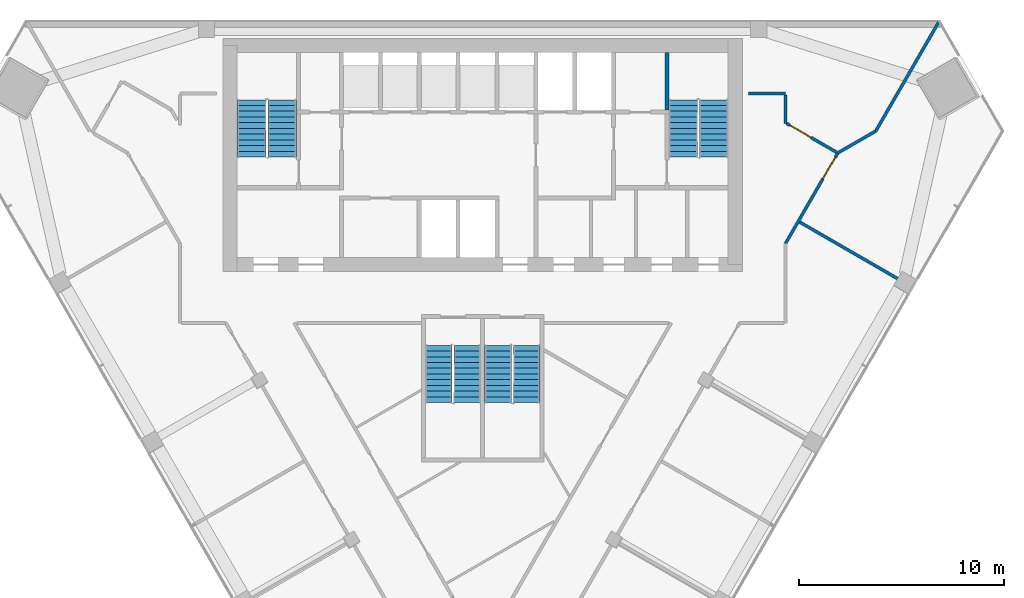
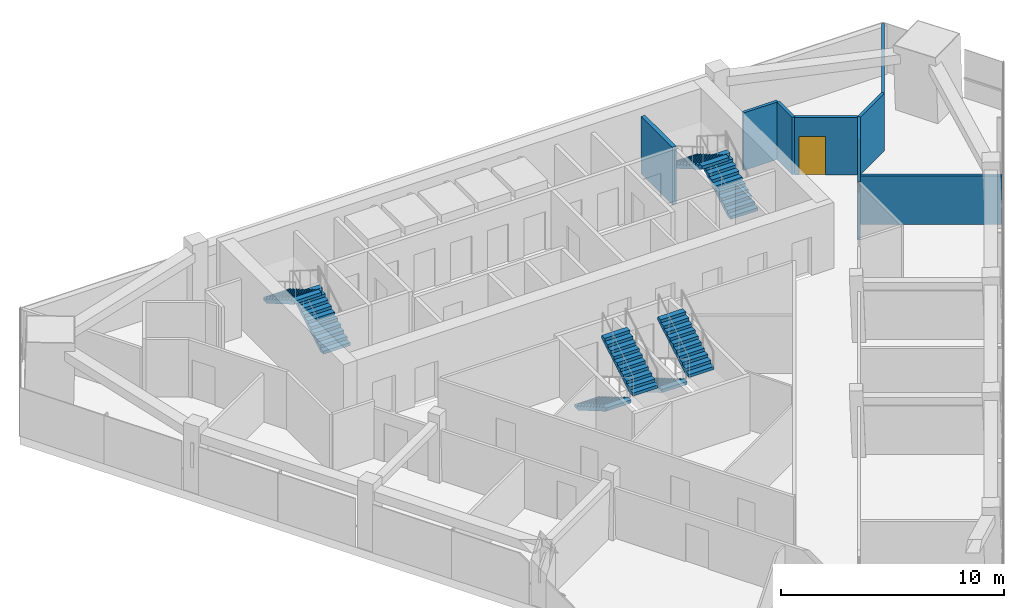
# One storey, part 11 of 13: 8 stair flights, 8 walls, 2 doors, 2 openings, 4 elements without a shape of their own.
"""IFC4 building model written with IfcOpenShell, lengths in metres."""

from ifc_helpers import new_model, si_unit, direction, frame, frame_2d, origin, place, context, subcontext, project, spatial, polyline, rectangle, outline, extrude, material, layer, layer_set, type_object, element, fill, aggregate, save


model = new_model("IFC4")

# Units and contexts
model_context = context("Model", 3, precision=1e-05, world=origin(), true_north=direction((0.0, 1.0)))
body_context = subcontext(model_context, "Body", "Model", "MODEL_VIEW")
ifc_project = project(units=[si_unit("LENGTHUNIT", "METRE"), si_unit("AREAUNIT", "SQUARE_METRE"), si_unit("VOLUMEUNIT", "CUBIC_METRE"), si_unit("PLANEANGLEUNIT", "RADIAN"), si_unit("MASSUNIT", "GRAM", prefix="KILO")], contexts=[model_context])

# Site, building, storey
site_placement = place(None, origin())
site = spatial("IfcSite", under=ifc_project, at=site_placement, CompositionType="ELEMENT")
building_placement = place(site_placement, origin())
building = spatial("IfcBuilding", under=site, at=building_placement, Name="Altiplano Prism Tower", CompositionType="ELEMENT")
storey_placement = place(building_placement, frame((0.0, 0.0, 201.60009765625)))
storey = spatial("IfcBuildingStorey", under=building, at=storey_placement, Name="L52", CompositionType="ELEMENT", Elevation=201.60009765625)

# Wall, opening, door
ifc_material_1 = material(Name="Plasterboard on steel stud", Category="steel")
ifc_layer_1 = layer(ifc_material_1, 0.14990234375)
ifc_layer_set_1 = layer_set([ifc_layer_1], Name="Plasterboard on steel stud")
wall_type_1 = type_object("IfcWallType", Name="Partition 150 corridor", PredefinedType="PARTITIONING", material=ifc_layer_set_1)
wall_1_placement = place(storey_placement, frame((99.800048828125, 94.0732421875, 0.0), z_axis=(0.0, 0.0, 1.0), x_axis=(0.499981548585, 0.866036056452, 0.0)))
wall_1 = element("IfcWall", 1, at=wall_1_placement, inside=storey, type_object=wall_type_1, Name="Partition P06 L52 011", PredefinedType="PARTITIONING", context=body_context, shape_type="SweptSolid", body=[
    extrude(rectangle(XDim=5.111572265625, YDim=0.14990234375, at=frame_2d((2.5556640625, 0.0))), origin(), (0.0, 0.0, 1.0), 3.14990234375),
])
opening_1_placement = place(wall_1_placement, frame((3.6669921875, 0.0, 0.0)))
opening_1 = element("IfcOpeningElement", 2, at=opening_1_placement, cuts=wall_1, Name="Opening D1824", PredefinedType="OPENING", context=body_context, shape_type="SweptSolid", body=[
    extrude(rectangle(XDim=1.199951171875, YDim=2.10009765625, at=frame_2d((0.60009765625, 1.050048828125))), frame((0.0, 0.08544921875, 0.0), z_axis=(0.0, -1.0, 0.0), x_axis=(1.0, 0.0, 0.0)), (0.0, 0.0, 1.0), 0.1708984375),
])
ifc_material_2 = material(Name="Timber", Category="wood")
door_type = type_object("IfcDoorType", Name="Shared room door 1200 x 2100", OperationType="NOTDEFINED", PredefinedType="NOTDEFINED", material=ifc_material_2)
door_1_placement = place(opening_1_placement, origin())
door_1 = element("IfcDoor", 3, at=door_1_placement, inside=storey, type_object=door_type, Name="Door D1824", OperationType="SINGLE_SWING_RIGHT", OverallHeight=2.10009765625, OverallWidth=1.199951171875, PredefinedType="NOTDEFINED", context=body_context, shape_type="SweptSolid", body=[
    extrude(rectangle(XDim=1.199951171875, YDim=2.10009765625, at=frame_2d((0.60009765625, 1.050048828125))), frame((0.0, 0.02490234375, 0.0), z_axis=(0.0, -1.0, 0.0), x_axis=(1.0, 0.0, 0.0)), (0.0, 0.0, 1.0), 0.050048828125),
])
fill(opening_1, door_1)

# Walls
wall_2_placement = place(storey_placement, frame((99.801025390625, 99.946044921875, 0.0), z_axis=(0.0, 0.0, 1.0), x_axis=(-0.000353919638, 0.99999993737, 0.0)))
element("IfcWall", 4, at=wall_2_placement, inside=storey, type_object=wall_type_1, Name="Partition P06 L52 012", PredefinedType="PARTITIONING", context=body_context, shape_type="SweptSolid", body=[
    extrude(rectangle(XDim=1.379638671875, YDim=0.14990234375, at=frame_2d((0.68994140625, 0.0))), origin(), (0.0, 0.0, 1.0), 3.14990234375),
])
wall_3_placement = place(storey_placement, frame((99.800537109375, 101.40087890625, 0.0), z_axis=(0.0, 0.0, 1.0), x_axis=(-1.0, 0.0, 0.0)))
element("IfcWall", 5, at=wall_3_placement, inside=storey, type_object=wall_type_1, Name="Partition P06 L52 013", PredefinedType="PARTITIONING", context=body_context, shape_type="SweptSolid", body=[
    extrude(rectangle(XDim=1.800537109375, YDim=0.14990234375, at=frame_2d((0.900390625, 0.0))), origin(), (0.0, 0.0, 1.0), 3.14990234375),
])

# Wall, opening, door
wall_4_placement = place(storey_placement, frame((102.291259765625, 98.538330078125, 0.0), z_axis=(0.0, 0.0, 1.0), x_axis=(-0.866011447264, 0.500024172624, 0.0)))
wall_4 = element("IfcWall", 6, at=wall_4_placement, inside=storey, type_object=wall_type_1, Name="Partition P06 L52 014", PredefinedType="PARTITIONING", context=body_context, shape_type="SweptSolid", body=[
    extrude(rectangle(XDim=2.824951171875, YDim=0.14990234375, at=frame_2d((1.41259765625, 0.0))), origin(), (0.0, 0.0, 1.0), 3.14990234375),
])
opening_2_placement = place(wall_4_placement, frame((1.425048828125, 0.0, 0.0)))
opening_2 = element("IfcOpeningElement", 7, at=opening_2_placement, cuts=wall_4, Name="Opening D1825", PredefinedType="OPENING", context=body_context, shape_type="SweptSolid", body=[
    extrude(rectangle(XDim=1.199951171875, YDim=2.10009765625, at=frame_2d((0.60009765625, 1.050048828125))), frame((0.0, 0.08544921875, 0.0), z_axis=(0.0, -1.0, 0.0), x_axis=(1.0, 0.0, 0.0)), (0.0, 0.0, 1.0), 0.1708984375),
])
door_2_placement = place(opening_2_placement, origin())
door_2 = element("IfcDoor", 8, at=door_2_placement, inside=storey, type_object=door_type, Name="Door D1825", OperationType="SINGLE_SWING_LEFT", OverallHeight=2.10009765625, OverallWidth=1.199951171875, PredefinedType="NOTDEFINED", context=body_context, shape_type="SweptSolid", body=[
    extrude(rectangle(XDim=1.199951171875, YDim=2.10009765625, at=frame_2d((0.60009765625, 1.050048828125))), frame((0.0, 0.02490234375, 0.0), z_axis=(0.0, -1.0, 0.0), x_axis=(1.0, 0.0, 0.0)), (0.0, 0.0, 1.0), 0.050048828125),
])
fill(opening_2, door_2)

# Walls
ifc_layer_2 = layer(ifc_material_1, 0.14990234375)
ifc_layer_set_2 = layer_set([ifc_layer_2], Name="Plasterboard on steel stud")
wall_type_2 = type_object("IfcWallType", Name="Partition 150 party", PredefinedType="PARTITIONING", material=ifc_layer_set_2)
wall_5_placement = place(storey_placement, frame((105.970458984375, 91.9609375, 0.0), z_axis=(0.0, 0.0, 1.0), x_axis=(-0.866032601554, 0.49998753289, 0.0)))
element("IfcWall", 9, at=wall_5_placement, inside=storey, type_object=wall_type_2, Name="Partition P01 L52 038", PredefinedType="PARTITIONING", context=body_context, shape_type="SweptSolid", body=[
    extrude(rectangle(XDim=6.324951171875, YDim=0.14990234375, at=frame_2d((3.16259765625, 0.0))), origin(), (0.0, 0.0, 1.0), 2.64990234375),
])
wall_6_placement = place(storey_placement, frame((107.289306640625, 104.89990234375, 0.0), z_axis=(0.0, 0.0, 1.0), x_axis=(-0.500006463187, -0.866021672229, 0.0)))
element("IfcWall", 10, at=wall_6_placement, inside=storey, type_object=wall_type_2, Name="Partition P01 L52 039", PredefinedType="PARTITIONING", context=body_context, shape_type="SweptSolid", body=[
    extrude(rectangle(XDim=6.1513671875, YDim=0.14990234375, at=frame_2d((3.07568359375, 0.0))), origin(), (0.0, 0.0, 1.0), 2.64990234375),
])
wall_7_placement = place(storey_placement, frame((104.213623046875, 99.57275390625, 0.0), z_axis=(0.0, 0.0, 1.0), x_axis=(-0.865992180073, -0.500057540742, 0.0)))
element("IfcWall", 11, at=wall_7_placement, inside=storey, type_object=wall_type_2, Name="Partition P01 L52 040", PredefinedType="PARTITIONING", context=body_context, shape_type="SweptSolid", body=[
    extrude(rectangle(XDim=2.144287109375, YDim=0.14990234375, at=frame_2d((1.072265625, 0.0))), origin(), (0.0, 0.0, 1.0), 3.14990234375),
])
ifc_material_3 = material(Name="Concrete C60/75", Category="concrete")
ifc_layer_3 = layer(ifc_material_3, 0.199951171875)
ifc_layer_set_3 = layer_set([ifc_layer_3], Name="Concrete C60/75")
wall_type_3 = type_object("IfcWallType", Name="Stair wall 200", PredefinedType="SOLIDWALL", material=ifc_layer_set_3)
wall_8_placement = place(storey_placement, frame((94.0, 100.60009765625, 0.0), z_axis=(0.0, 0.0, 1.0), x_axis=(0.0, 1.0, 0.0)))
element("IfcWall", 12, at=wall_8_placement, inside=storey, type_object=wall_type_3, Name="Stair wall L52", PredefinedType="SOLIDWALL", context=body_context, shape_type="SweptSolid", body=[
    extrude(rectangle(XDim=2.7998046875, YDim=0.199951171875, at=frame_2d((1.39990234375, 0.0))), origin(), (0.0, 0.0, 1.0), 3.14990234375),
])

# Stair, stair flights
ifc_material_4 = material(Name="Concrete C40/50", Category="concrete")
stair_type_1 = type_object("IfcStairType", Name="Exit stair 1400", PredefinedType="HALF_TURN_STAIR", material=ifc_material_4)
stair_1_placement = place(storey_placement, origin())
stair_1 = element("IfcStair", 13, at=stair_1_placement, inside=storey, type_object=stair_type_1, Name="L52 Exit Stair 1", PredefinedType="HALF_TURN_STAIR")
stair_flight_type = type_object("IfcStairFlightType", Name="Stair flight concrete 150", PredefinedType="STRAIGHT", material=ifc_material_4)
stair_flight_1_placement = place(storey_placement, frame((75.199951171875, 98.300048828125, 0.0), z_axis=(0.0, 0.0, 1.0), x_axis=(0.0, 1.0, 0.0)))
stair_flight_1 = element("IfcStairFlight", 14, at=stair_flight_1_placement, type_object=stair_flight_type, Name="ST1 flight 1", NumberOfRisers=11, NumberOfTreads=10, PredefinedType="STRAIGHT", RiserHeight=0.163636364, TreadLength=0.28, context=body_context, shape_type="SweptSolid", body=[
    extrude(outline(polyline([(0.0, 0.0), (0.0, 0.16357421875), (0.280029296875, 0.16357421875), (0.280029296875, 0.327392578125), (0.56005859375, 0.327392578125), (0.56005859375, 0.490966796875), (0.840087890625, 0.490966796875), (0.840087890625, 0.654541015625), (1.1201171875, 0.654541015625), (1.1201171875, 0.818115234375), (1.39990234375, 0.818115234375), (1.39990234375, 0.98193359375), (1.679931640625, 0.98193359375), (1.679931640625, 1.1455078125), (1.9599609375, 1.1455078125), (1.9599609375, 1.30908203125), (2.239990234375, 1.30908203125), (2.239990234375, 1.47265625), (2.52001953125, 1.47265625), (2.52001953125, 1.636474609375), (2.800048828125, 1.636474609375), (2.800048828125, 1.800048828125), (2.800048828125, 1.462646484375), (0.297119140625, 0.0), (0.0, 0.0)])), frame((0.0, 0.699951171875, 0.0), z_axis=(0.0, -1.0, 0.0), x_axis=(1.0, 0.0, 0.0)), (0.0, 0.0, 1.0), 1.39990234375),
])
stair_flight_2_placement = place(storey_placement, frame((73.699951171875, 101.10009765625, 1.7998046875), z_axis=(0.0, 0.0, 1.0), x_axis=(0.0, -1.0, 0.0)))
stair_flight_2 = element("IfcStairFlight", 15, at=stair_flight_2_placement, type_object=stair_flight_type, Name="ST1 flight 2", NumberOfRisers=11, NumberOfTreads=10, PredefinedType="STRAIGHT", RiserHeight=0.163636364, TreadLength=0.28, context=body_context, shape_type="SweptSolid", body=[
    extrude(outline(polyline([(0.0, 0.0), (0.0, 0.16357421875), (0.280029296875, 0.16357421875), (0.280029296875, 0.327392578125), (0.56005859375, 0.327392578125), (0.56005859375, 0.490966796875), (0.840087890625, 0.490966796875), (0.840087890625, 0.654541015625), (1.1201171875, 0.654541015625), (1.1201171875, 0.818115234375), (1.39990234375, 0.818115234375), (1.39990234375, 0.98193359375), (1.679931640625, 0.98193359375), (1.679931640625, 1.1455078125), (1.9599609375, 1.1455078125), (1.9599609375, 1.30908203125), (2.239990234375, 1.30908203125), (2.239990234375, 1.47265625), (2.52001953125, 1.47265625), (2.52001953125, 1.636474609375), (2.800048828125, 1.636474609375), (2.800048828125, 1.800048828125), (2.800048828125, 1.462646484375), (0.297119140625, 0.0), (0.0, 0.0)])), frame((0.0, 0.699951171875, 0.0), z_axis=(0.0, -1.0, 0.0), x_axis=(1.0, 0.0, 0.0)), (0.0, 0.0, 1.0), 1.39990234375),
])
aggregate(stair_1, [stair_flight_1, stair_flight_2])

stair_2_placement = place(storey_placement, origin())
stair_2 = element("IfcStair", 16, at=stair_2_placement, inside=storey, type_object=stair_type_1, Name="L52 Exit Stair 2", PredefinedType="HALF_TURN_STAIR")
stair_flight_3_placement = place(storey_placement, frame((96.300048828125, 98.300048828125, 0.0), z_axis=(0.0, 0.0, 1.0), x_axis=(0.0, 1.0, 0.0)))
stair_flight_3 = element("IfcStairFlight", 17, at=stair_flight_3_placement, type_object=stair_flight_type, Name="ST2 flight 1", NumberOfRisers=11, NumberOfTreads=10, PredefinedType="STRAIGHT", RiserHeight=0.163636364, TreadLength=0.28, context=body_context, shape_type="SweptSolid", body=[
    extrude(outline(polyline([(0.0, 0.0), (0.0, 0.16357421875), (0.280029296875, 0.16357421875), (0.280029296875, 0.327392578125), (0.56005859375, 0.327392578125), (0.56005859375, 0.490966796875), (0.840087890625, 0.490966796875), (0.840087890625, 0.654541015625), (1.1201171875, 0.654541015625), (1.1201171875, 0.818115234375), (1.39990234375, 0.818115234375), (1.39990234375, 0.98193359375), (1.679931640625, 0.98193359375), (1.679931640625, 1.1455078125), (1.9599609375, 1.1455078125), (1.9599609375, 1.30908203125), (2.239990234375, 1.30908203125), (2.239990234375, 1.47265625), (2.52001953125, 1.47265625), (2.52001953125, 1.636474609375), (2.800048828125, 1.636474609375), (2.800048828125, 1.800048828125), (2.800048828125, 1.462646484375), (0.297119140625, 0.0), (0.0, 0.0)])), frame((0.0, 0.699951171875, 0.0), z_axis=(0.0, -1.0, 0.0), x_axis=(1.0, 0.0, 0.0)), (0.0, 0.0, 1.0), 1.39990234375),
])
stair_flight_4_placement = place(storey_placement, frame((94.800048828125, 101.10009765625, 1.7998046875), z_axis=(0.0, 0.0, 1.0), x_axis=(0.0, -1.0, 0.0)))
stair_flight_4 = element("IfcStairFlight", 18, at=stair_flight_4_placement, type_object=stair_flight_type, Name="ST2 flight 2", NumberOfRisers=11, NumberOfTreads=10, PredefinedType="STRAIGHT", RiserHeight=0.163636364, TreadLength=0.28, context=body_context, shape_type="SweptSolid", body=[
    extrude(outline(polyline([(0.0, 0.0), (0.0, 0.16357421875), (0.280029296875, 0.16357421875), (0.280029296875, 0.327392578125), (0.56005859375, 0.327392578125), (0.56005859375, 0.490966796875), (0.840087890625, 0.490966796875), (0.840087890625, 0.654541015625), (1.1201171875, 0.654541015625), (1.1201171875, 0.818115234375), (1.39990234375, 0.818115234375), (1.39990234375, 0.98193359375), (1.679931640625, 0.98193359375), (1.679931640625, 1.1455078125), (1.9599609375, 1.1455078125), (1.9599609375, 1.30908203125), (2.239990234375, 1.30908203125), (2.239990234375, 1.47265625), (2.52001953125, 1.47265625), (2.52001953125, 1.636474609375), (2.800048828125, 1.636474609375), (2.800048828125, 1.800048828125), (2.800048828125, 1.462646484375), (0.297119140625, 0.0), (0.0, 0.0)])), frame((0.0, 0.699951171875, 0.0), z_axis=(0.0, -1.0, 0.0), x_axis=(1.0, 0.0, 0.0)), (0.0, 0.0, 1.0), 1.39990234375),
])
aggregate(stair_2, [stair_flight_3, stair_flight_4])

stair_type_2 = type_object("IfcStairType", Name="Exit stair 1300", PredefinedType="HALF_TURN_STAIR", material=ifc_material_4)
stair_3_placement = place(storey_placement, origin())
stair_3 = element("IfcStair", 19, at=stair_3_placement, inside=storey, type_object=stair_type_2, Name="L52 Exit Stair 3A", PredefinedType="HALF_TURN_STAIR")
stair_flight_5_placement = place(storey_placement, frame((82.85009765625, 89.10009765625, 0.0), z_axis=(0.0, 0.0, 1.0), x_axis=(0.0, -1.0, 0.0)))
stair_flight_5 = element("IfcStairFlight", 20, at=stair_flight_5_placement, type_object=stair_flight_type, Name="ST3A flight 1", NumberOfRisers=11, NumberOfTreads=10, PredefinedType="STRAIGHT", RiserHeight=0.163636364, TreadLength=0.28, context=body_context, shape_type="SweptSolid", body=[
    extrude(outline(polyline([(0.0, 0.0), (0.0, 0.16357421875), (0.280029296875, 0.16357421875), (0.280029296875, 0.327392578125), (0.56005859375, 0.327392578125), (0.56005859375, 0.490966796875), (0.840087890625, 0.490966796875), (0.840087890625, 0.654541015625), (1.1201171875, 0.654541015625), (1.1201171875, 0.818115234375), (1.39990234375, 0.818115234375), (1.39990234375, 0.98193359375), (1.679931640625, 0.98193359375), (1.679931640625, 1.1455078125), (1.9599609375, 1.1455078125), (1.9599609375, 1.30908203125), (2.239990234375, 1.30908203125), (2.239990234375, 1.47265625), (2.52001953125, 1.47265625), (2.52001953125, 1.636474609375), (2.800048828125, 1.636474609375), (2.800048828125, 1.800048828125), (2.800048828125, 1.462646484375), (0.297119140625, 0.0), (0.0, 0.0)])), frame((0.0, 0.64990234375, 0.0), z_axis=(0.0, -1.0, 0.0), x_axis=(1.0, 0.0, 0.0)), (0.0, 0.0, 1.0), 1.300048828125),
])
stair_flight_6_placement = place(storey_placement, frame((84.25, 86.300048828125, 1.7998046875), z_axis=(0.0, 0.0, 1.0), x_axis=(0.0, 1.0, 0.0)))
stair_flight_6 = element("IfcStairFlight", 21, at=stair_flight_6_placement, type_object=stair_flight_type, Name="ST3A flight 2", NumberOfRisers=11, NumberOfTreads=10, PredefinedType="STRAIGHT", RiserHeight=0.163636364, TreadLength=0.28, context=body_context, shape_type="SweptSolid", body=[
    extrude(outline(polyline([(0.0, 0.0), (0.0, 0.16357421875), (0.280029296875, 0.16357421875), (0.280029296875, 0.327392578125), (0.56005859375, 0.327392578125), (0.56005859375, 0.490966796875), (0.840087890625, 0.490966796875), (0.840087890625, 0.654541015625), (1.1201171875, 0.654541015625), (1.1201171875, 0.818115234375), (1.39990234375, 0.818115234375), (1.39990234375, 0.98193359375), (1.679931640625, 0.98193359375), (1.679931640625, 1.1455078125), (1.9599609375, 1.1455078125), (1.9599609375, 1.30908203125), (2.239990234375, 1.30908203125), (2.239990234375, 1.47265625), (2.52001953125, 1.47265625), (2.52001953125, 1.636474609375), (2.800048828125, 1.636474609375), (2.800048828125, 1.800048828125), (2.800048828125, 1.462646484375), (0.297119140625, 0.0), (0.0, 0.0)])), frame((0.0, 0.64990234375, 0.0), z_axis=(0.0, -1.0, 0.0), x_axis=(1.0, 0.0, 0.0)), (0.0, 0.0, 1.0), 1.300048828125),
])
aggregate(stair_3, [stair_flight_5, stair_flight_6])

stair_4_placement = place(storey_placement, origin())
stair_4 = element("IfcStair", 22, at=stair_4_placement, inside=storey, type_object=stair_type_2, Name="L52 Exit Stair 3B", PredefinedType="HALF_TURN_STAIR")
stair_flight_7_placement = place(storey_placement, frame((85.75, 89.10009765625, 0.0), z_axis=(0.0, 0.0, 1.0), x_axis=(0.0, -1.0, 0.0)))
stair_flight_7 = element("IfcStairFlight", 23, at=stair_flight_7_placement, type_object=stair_flight_type, Name="ST3B flight 1", NumberOfRisers=11, NumberOfTreads=10, PredefinedType="STRAIGHT", RiserHeight=0.163636364, TreadLength=0.28, context=body_context, shape_type="SweptSolid", body=[
    extrude(outline(polyline([(0.0, 0.0), (0.0, 0.16357421875), (0.280029296875, 0.16357421875), (0.280029296875, 0.327392578125), (0.56005859375, 0.327392578125), (0.56005859375, 0.490966796875), (0.840087890625, 0.490966796875), (0.840087890625, 0.654541015625), (1.1201171875, 0.654541015625), (1.1201171875, 0.818115234375), (1.39990234375, 0.818115234375), (1.39990234375, 0.98193359375), (1.679931640625, 0.98193359375), (1.679931640625, 1.1455078125), (1.9599609375, 1.1455078125), (1.9599609375, 1.30908203125), (2.239990234375, 1.30908203125), (2.239990234375, 1.47265625), (2.52001953125, 1.47265625), (2.52001953125, 1.636474609375), (2.800048828125, 1.636474609375), (2.800048828125, 1.800048828125), (2.800048828125, 1.462646484375), (0.297119140625, 0.0), (0.0, 0.0)])), frame((0.0, 0.64990234375, 0.0), z_axis=(0.0, -1.0, 0.0), x_axis=(1.0, 0.0, 0.0)), (0.0, 0.0, 1.0), 1.300048828125),
])
stair_flight_8_placement = place(storey_placement, frame((87.14990234375, 86.300048828125, 1.7998046875), z_axis=(0.0, 0.0, 1.0), x_axis=(0.0, 1.0, 0.0)))
stair_flight_8 = element("IfcStairFlight", 24, at=stair_flight_8_placement, type_object=stair_flight_type, Name="ST3B flight 2", NumberOfRisers=11, NumberOfTreads=10, PredefinedType="STRAIGHT", RiserHeight=0.163636364, TreadLength=0.28, context=body_context, shape_type="SweptSolid", body=[
    extrude(outline(polyline([(0.0, 0.0), (0.0, 0.16357421875), (0.280029296875, 0.16357421875), (0.280029296875, 0.327392578125), (0.56005859375, 0.327392578125), (0.56005859375, 0.490966796875), (0.840087890625, 0.490966796875), (0.840087890625, 0.654541015625), (1.1201171875, 0.654541015625), (1.1201171875, 0.818115234375), (1.39990234375, 0.818115234375), (1.39990234375, 0.98193359375), (1.679931640625, 0.98193359375), (1.679931640625, 1.1455078125), (1.9599609375, 1.1455078125), (1.9599609375, 1.30908203125), (2.239990234375, 1.30908203125), (2.239990234375, 1.47265625), (2.52001953125, 1.47265625), (2.52001953125, 1.636474609375), (2.800048828125, 1.636474609375), (2.800048828125, 1.800048828125), (2.800048828125, 1.462646484375), (0.297119140625, 0.0), (0.0, 0.0)])), frame((0.0, 0.64990234375, 0.0), z_axis=(0.0, -1.0, 0.0), x_axis=(1.0, 0.0, 0.0)), (0.0, 0.0, 1.0), 1.300048828125),
])
aggregate(stair_4, [stair_flight_7, stair_flight_8])

save(model, "model.ifc")
